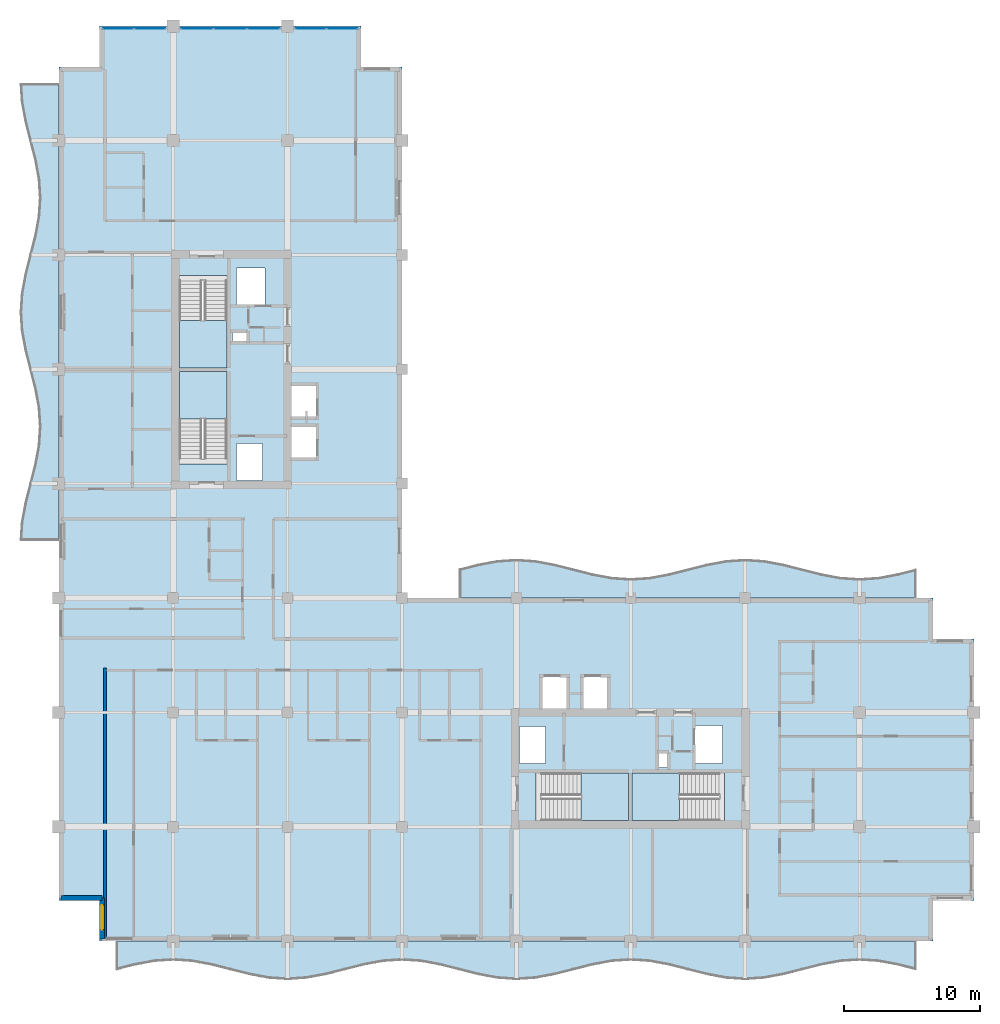
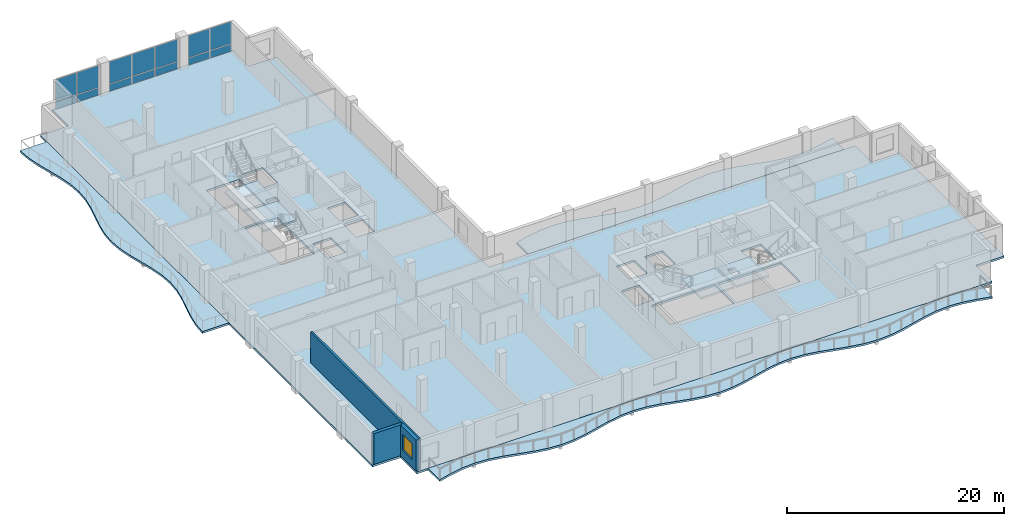
# One storey, part 5 of 16: 14 plates, 8 slabs, 3 walls, 1 window, 1 opening, 7 elements without a shape of their own.
"""IFC4 building model written with IfcOpenShell, lengths in metres."""

from ifc_helpers import new_model, si_unit, direction, frame, frame_2d, origin, origin_2d, place, context, subcontext, project, spatial, polyline, rectangle, outline, extrude, material, layer, layer_set, type_object, element, fill, aggregate, save


model = new_model("IFC4")

# Units and contexts
model_context = context("Model", 3, precision=1e-05, world=origin(), true_north=direction((0.0, 1.0)))
body_context = subcontext(model_context, "Body", "Model", "MODEL_VIEW")
ifc_project = project(units=[si_unit("LENGTHUNIT", "METRE"), si_unit("AREAUNIT", "SQUARE_METRE"), si_unit("VOLUMEUNIT", "CUBIC_METRE"), si_unit("PLANEANGLEUNIT", "RADIAN"), si_unit("MASSUNIT", "GRAM", prefix="KILO")], contexts=[model_context])

# Site, building, storey
site_placement = place(None, origin())
site = spatial("IfcSite", under=ifc_project, at=site_placement, CompositionType="ELEMENT")
building_placement = place(site_placement, origin())
building = spatial("IfcBuilding", under=site, at=building_placement, Name="Koriwani Terraces Tower", CompositionType="ELEMENT")
storey_placement = place(building_placement, frame((0.0, 0.0, 252.699951171875)))
storey = spatial("IfcBuildingStorey", under=building, at=storey_placement, Name="L62", CompositionType="ELEMENT", Elevation=252.699951171875)

# Curtain wall, plates
ifc_material_1 = material(Name="Anodised Bronze Aluminium", Category="aluminium")
ifc_layer_1 = layer(ifc_material_1, 0.169921875, Name="Anodised Bronze Aluminium")
ifc_layer_set_1 = layer_set([ifc_layer_1], Name="Anodised Bronze Aluminium")
curtain_wall_type = type_object("IfcCurtainWallType", Name="CW_RES_ZONE4", PredefinedType="NOTDEFINED", material=ifc_layer_set_1)
curtain_wall_1_placement = place(storey_placement, origin())
curtain_wall_1 = element("IfcCurtainWall", 1, at=curtain_wall_1_placement, inside=storey, type_object=curtain_wall_type, Name="L62 Unitised Curtain Wall (N_TIP) Bay 1", PredefinedType="NOTDEFINED")
ifc_material_2 = material(Name="Tempered Laminated Low-E Glass", Category="glass")
ifc_layer_2 = layer(ifc_material_2, 0.028076171875, Name="Tempered Laminated Low-E Glass")
ifc_layer_set_2 = layer_set([ifc_layer_2], Name="Tempered Laminated Low-E Glass")
plate_type = type_object("IfcPlateType", Name="CW_PANEL_VISION_28", PredefinedType="CURTAIN_PANEL", material=ifc_layer_set_2)
plate_1_placement = place(storey_placement, frame((12.7724609375, 75.425048828125, 0.06494140625), z_axis=(0.0, 0.0, 1.0), x_axis=(1.0, 0.0, 0.0)))
plate_1 = element("IfcPlate", 2, at=plate_1_placement, type_object=plate_type, Name="CW-Z4 panel 1.1", PredefinedType="CURTAIN_PANEL", context=body_context, shape_type="SweptSolid", body=[
    extrude(rectangle(XDim=2.2451171875, YDim=0.028076171875, at=origin_2d()), origin(), (0.0, 0.0, 1.0), 0.802490234375),
])
plate_2_placement = place(storey_placement, frame((12.7724609375, 75.425048828125, 0.9326171875), z_axis=(0.0, 0.0, 1.0), x_axis=(1.0, 0.0, 0.0)))
plate_2 = element("IfcPlate", 3, at=plate_2_placement, type_object=plate_type, Name="CW-Z4 panel 1.2", PredefinedType="CURTAIN_PANEL", context=body_context, shape_type="SweptSolid", body=[
    extrude(rectangle(XDim=2.2451171875, YDim=0.028076171875, at=origin_2d()), origin(), (0.0, 0.0, 1.0), 2.472412109375),
])
plate_3_placement = place(storey_placement, frame((15.092529296875, 75.425048828125, 0.06494140625), z_axis=(0.0, 0.0, 1.0), x_axis=(1.0, 0.0, 0.0)))
plate_3 = element("IfcPlate", 4, at=plate_3_placement, type_object=plate_type, Name="CW-Z4 panel 2.1", PredefinedType="CURTAIN_PANEL", context=body_context, shape_type="SweptSolid", body=[
    extrude(rectangle(XDim=2.2451171875, YDim=0.028076171875, at=origin_2d()), origin(), (0.0, 0.0, 1.0), 0.802490234375),
])
plate_4_placement = place(storey_placement, frame((15.092529296875, 75.425048828125, 0.9326171875), z_axis=(0.0, 0.0, 1.0), x_axis=(1.0, 0.0, 0.0)))
plate_4 = element("IfcPlate", 5, at=plate_4_placement, type_object=plate_type, Name="CW-Z4 panel 2.2", PredefinedType="CURTAIN_PANEL", context=body_context, shape_type="SweptSolid", body=[
    extrude(rectangle(XDim=2.2451171875, YDim=0.028076171875, at=origin_2d()), origin(), (0.0, 0.0, 1.0), 2.472412109375),
])
aggregate(curtain_wall_1, [plate_1, plate_2, plate_3, plate_4])

curtain_wall_2_placement = place(storey_placement, origin())
curtain_wall_2 = element("IfcCurtainWall", 6, at=curtain_wall_2_placement, inside=storey, type_object=curtain_wall_type, Name="L62 Unitised Curtain Wall (N_TIP) Bay 2", PredefinedType="NOTDEFINED")
plate_5_placement = place(storey_placement, frame((18.558837890625, 75.425048828125, 0.06494140625), z_axis=(0.0, 0.0, 1.0), x_axis=(1.0, 0.0, 0.0)))
plate_5 = element("IfcPlate", 7, at=plate_5_placement, type_object=plate_type, Name="CW-Z4 panel 1.1", PredefinedType="CURTAIN_PANEL", context=body_context, shape_type="SweptSolid", body=[
    extrude(rectangle(XDim=2.347412109375, YDim=0.028076171875, at=origin_2d()), origin(), (0.0, 0.0, 1.0), 0.802490234375),
])
plate_6_placement = place(storey_placement, frame((18.558837890625, 75.425048828125, 0.9326171875), z_axis=(0.0, 0.0, 1.0), x_axis=(1.0, 0.0, 0.0)))
plate_6 = element("IfcPlate", 8, at=plate_6_placement, type_object=plate_type, Name="CW-Z4 panel 1.2", PredefinedType="CURTAIN_PANEL", context=body_context, shape_type="SweptSolid", body=[
    extrude(rectangle(XDim=2.347412109375, YDim=0.028076171875, at=origin_2d()), origin(), (0.0, 0.0, 1.0), 2.472412109375),
])
plate_7_placement = place(storey_placement, frame((21.0, 75.425048828125, 0.06494140625), z_axis=(0.0, 0.0, 1.0), x_axis=(1.0, 0.0, 0.0)))
plate_7 = element("IfcPlate", 9, at=plate_7_placement, type_object=plate_type, Name="CW-Z4 panel 2.1", PredefinedType="CURTAIN_PANEL", context=body_context, shape_type="SweptSolid", body=[
    extrude(rectangle(XDim=2.385009765625, YDim=0.028076171875, at=origin_2d()), origin(), (0.0, 0.0, 1.0), 0.802490234375),
])
plate_8_placement = place(storey_placement, frame((21.0, 75.425048828125, 0.9326171875), z_axis=(0.0, 0.0, 1.0), x_axis=(1.0, 0.0, 0.0)))
plate_8 = element("IfcPlate", 10, at=plate_8_placement, type_object=plate_type, Name="CW-Z4 panel 2.2", PredefinedType="CURTAIN_PANEL", context=body_context, shape_type="SweptSolid", body=[
    extrude(rectangle(XDim=2.385009765625, YDim=0.028076171875, at=origin_2d()), origin(), (0.0, 0.0, 1.0), 2.472412109375),
])
plate_9_placement = place(storey_placement, frame((23.441162109375, 75.425048828125, 0.06494140625), z_axis=(0.0, 0.0, 1.0), x_axis=(1.0, 0.0, 0.0)))
plate_9 = element("IfcPlate", 11, at=plate_9_placement, type_object=plate_type, Name="CW-Z4 panel 3.1", PredefinedType="CURTAIN_PANEL", context=body_context, shape_type="SweptSolid", body=[
    extrude(rectangle(XDim=2.347412109375, YDim=0.028076171875, at=origin_2d()), origin(), (0.0, 0.0, 1.0), 0.802490234375),
])
plate_10_placement = place(storey_placement, frame((23.441162109375, 75.425048828125, 0.9326171875), z_axis=(0.0, 0.0, 1.0), x_axis=(1.0, 0.0, 0.0)))
plate_10 = element("IfcPlate", 12, at=plate_10_placement, type_object=plate_type, Name="CW-Z4 panel 3.2", PredefinedType="CURTAIN_PANEL", context=body_context, shape_type="SweptSolid", body=[
    extrude(rectangle(XDim=2.347412109375, YDim=0.028076171875, at=origin_2d()), origin(), (0.0, 0.0, 1.0), 2.472412109375),
])
aggregate(curtain_wall_2, [plate_5, plate_6, plate_7, plate_8, plate_9, plate_10])

curtain_wall_3_placement = place(storey_placement, origin())
curtain_wall_3 = element("IfcCurtainWall", 13, at=curtain_wall_3_placement, inside=storey, type_object=curtain_wall_type, Name="L62 Unitised Curtain Wall (N_TIP) Bay 3", PredefinedType="NOTDEFINED")
plate_11_placement = place(storey_placement, frame((26.907470703125, 75.425048828125, 0.06494140625), z_axis=(0.0, 0.0, 1.0), x_axis=(1.0, 0.0, 0.0)))
plate_11 = element("IfcPlate", 14, at=plate_11_placement, type_object=plate_type, Name="CW-Z4 panel 1.1", PredefinedType="CURTAIN_PANEL", context=body_context, shape_type="SweptSolid", body=[
    extrude(rectangle(XDim=2.2451171875, YDim=0.028076171875, at=origin_2d()), origin(), (0.0, 0.0, 1.0), 0.802490234375),
])
plate_12_placement = place(storey_placement, frame((26.907470703125, 75.425048828125, 0.9326171875), z_axis=(0.0, 0.0, 1.0), x_axis=(1.0, 0.0, 0.0)))
plate_12 = element("IfcPlate", 15, at=plate_12_placement, type_object=plate_type, Name="CW-Z4 panel 1.2", PredefinedType="CURTAIN_PANEL", context=body_context, shape_type="SweptSolid", body=[
    extrude(rectangle(XDim=2.2451171875, YDim=0.028076171875, at=origin_2d()), origin(), (0.0, 0.0, 1.0), 2.472412109375),
])
plate_13_placement = place(storey_placement, frame((29.2275390625, 75.425048828125, 0.06494140625), z_axis=(0.0, 0.0, 1.0), x_axis=(1.0, 0.0, 0.0)))
plate_13 = element("IfcPlate", 16, at=plate_13_placement, type_object=plate_type, Name="CW-Z4 panel 2.1", PredefinedType="CURTAIN_PANEL", context=body_context, shape_type="SweptSolid", body=[
    extrude(rectangle(XDim=2.2451171875, YDim=0.028076171875, at=origin_2d()), origin(), (0.0, 0.0, 1.0), 0.802490234375),
])
plate_14_placement = place(storey_placement, frame((29.2275390625, 75.425048828125, 0.9326171875), z_axis=(0.0, 0.0, 1.0), x_axis=(1.0, 0.0, 0.0)))
plate_14 = element("IfcPlate", 17, at=plate_14_placement, type_object=plate_type, Name="CW-Z4 panel 2.2", PredefinedType="CURTAIN_PANEL", context=body_context, shape_type="SweptSolid", body=[
    extrude(rectangle(XDim=2.2451171875, YDim=0.028076171875, at=origin_2d()), origin(), (0.0, 0.0, 1.0), 2.472412109375),
])
aggregate(curtain_wall_3, [plate_11, plate_12, plate_13, plate_14])

# Slabs
ifc_material_3 = material(Name="Concrete C40/50", Category="concrete")
ifc_layer_3 = layer(ifc_material_3, 0.219970703125, Name="Concrete C40/50")
ifc_layer_set_3 = layer_set([ifc_layer_3], Name="Concrete C40/50")
slab_type_1 = type_object("IfcSlabType", Name="SLAB_BALCONY_220", PredefinedType="FLOOR", material=ifc_layer_set_3)
slab_1_placement = place(storey_placement, frame((0.0, 0.0, -0.219970703125)))
element("IfcSlab", 18, at=slab_1_placement, inside=storey, type_object=slab_type_1, Name="L62 Quilted Circular-Arc Balcony (S)", PredefinedType="FLOOR", context=body_context, shape_type="SweptSolid", body=[
    extrude(outline(polyline([(12.60009765625, 8.39990234375), (14.0, 8.39990234375), (15.39990234375, 8.39990234375), (16.800048828125, 8.39990234375), (18.199951171875, 8.39990234375), (19.60009765625, 8.39990234375), (21.0, 8.39990234375), (22.39990234375, 8.39990234375), (23.800048828125, 8.39990234375), (25.199951171875, 8.39990234375), (26.60009765625, 8.39990234375), (28.0, 8.39990234375), (29.39990234375, 8.39990234375), (30.800048828125, 8.39990234375), (32.199951171875, 8.39990234375), (33.60009765625, 8.39990234375), (35.0, 8.39990234375), (36.39990234375, 8.39990234375), (37.800048828125, 8.39990234375), (39.199951171875, 8.39990234375), (40.60009765625, 8.39990234375), (42.0, 8.39990234375), (43.39990234375, 8.39990234375), (44.800048828125, 8.39990234375), (46.199951171875, 8.39990234375), (47.60009765625, 8.39990234375), (49.0, 8.39990234375), (50.39990234375, 8.39990234375), (51.800048828125, 8.39990234375), (53.199951171875, 8.39990234375), (54.60009765625, 8.39990234375), (56.0, 8.39990234375), (57.39990234375, 8.39990234375), (58.800048828125, 8.39990234375), (60.199951171875, 8.39990234375), (61.60009765625, 8.39990234375), (63.0, 8.39990234375), (64.39990234375, 8.39990234375), (65.800048828125, 8.39990234375), (67.199951171875, 8.39990234375), (68.60009765625, 8.39990234375), (70.0, 8.39990234375), (71.39990234375, 8.39990234375), (71.39990234375, 6.260009765625), (70.0, 6.614990234375), (68.60009765625, 6.875), (67.199951171875, 6.969970703125), (65.800048828125, 6.875), (64.39990234375, 6.614990234375), (63.0, 6.260009765625), (61.60009765625, 5.905029296875), (60.199951171875, 5.64501953125), (58.800048828125, 5.550048828125), (57.39990234375, 5.64501953125), (56.0, 5.905029296875), (54.60009765625, 6.260009765625), (53.199951171875, 6.614990234375), (51.800048828125, 6.875), (50.39990234375, 6.969970703125), (49.0, 6.875), (47.60009765625, 6.614990234375), (46.199951171875, 6.260009765625), (44.800048828125, 5.905029296875), (43.39990234375, 5.64501953125), (42.0, 5.550048828125), (40.60009765625, 5.64501953125), (39.199951171875, 5.905029296875), (37.800048828125, 6.260009765625), (36.39990234375, 6.614990234375), (35.0, 6.875), (33.60009765625, 6.969970703125), (32.199951171875, 6.875), (30.800048828125, 6.614990234375), (29.39990234375, 6.260009765625), (28.0, 5.905029296875), (26.60009765625, 5.64501953125), (25.199951171875, 5.550048828125), (23.800048828125, 5.64501953125), (22.39990234375, 5.905029296875), (21.0, 6.260009765625), (19.60009765625, 6.614990234375), (18.199951171875, 6.875), (16.800048828125, 6.969970703125), (15.39990234375, 6.875), (14.0, 6.614990234375), (12.60009765625, 6.260009765625), (12.60009765625, 8.39990234375)])), origin(), (0.0, 0.0, 1.0), 0.219970703125),
])
slab_2_placement = place(storey_placement, frame((0.0, 0.0, -0.219970703125)))
element("IfcSlab", 19, at=slab_2_placement, inside=storey, type_object=slab_type_1, Name="L62 Quilted Circular-Arc Balcony (W)", PredefinedType="FLOOR", context=body_context, shape_type="SweptSolid", body=[
    extrude(outline(polyline([(8.39990234375, 37.800048828125), (8.39990234375, 39.199951171875), (8.39990234375, 40.60009765625), (8.39990234375, 42.0), (8.39990234375, 43.39990234375), (8.39990234375, 44.800048828125), (8.39990234375, 46.199951171875), (8.39990234375, 47.60009765625), (8.39990234375, 49.0), (8.39990234375, 50.39990234375), (8.39990234375, 51.800048828125), (8.39990234375, 53.199951171875), (8.39990234375, 54.60009765625), (8.39990234375, 56.0), (8.39990234375, 57.39990234375), (8.39990234375, 58.800048828125), (8.39990234375, 60.199951171875), (8.39990234375, 61.60009765625), (8.39990234375, 63.0), (8.39990234375, 64.39990234375), (8.39990234375, 65.800048828125), (8.39990234375, 67.199951171875), (8.39990234375, 68.60009765625), (8.39990234375, 70.0), (8.39990234375, 71.39990234375), (5.550048828125, 71.39990234375), (5.64501953125, 70.0), (5.905029296875, 68.60009765625), (6.260009765625, 67.199951171875), (6.614990234375, 65.800048828125), (6.875, 64.39990234375), (6.969970703125, 63.0), (6.875, 61.60009765625), (6.614990234375, 60.199951171875), (6.260009765625, 58.800048828125), (5.905029296875, 57.39990234375), (5.64501953125, 56.0), (5.550048828125, 54.60009765625), (5.64501953125, 53.199951171875), (5.905029296875, 51.800048828125), (6.260009765625, 50.39990234375), (6.614990234375, 49.0), (6.875, 47.60009765625), (6.969970703125, 46.199951171875), (6.875, 44.800048828125), (6.614990234375, 43.39990234375), (6.260009765625, 42.0), (5.905029296875, 40.60009765625), (5.64501953125, 39.199951171875), (5.550048828125, 37.800048828125), (8.39990234375, 37.800048828125)])), origin(), (0.0, 0.0, 1.0), 0.219970703125),
])
slab_3_placement = place(storey_placement, frame((0.0, 0.0, -0.219970703125)))
element("IfcSlab", 20, at=slab_3_placement, inside=storey, type_object=slab_type_1, Name="L62 Quilted Circular-Arc Balcony (NE)", PredefinedType="FLOOR", context=body_context, shape_type="SweptSolid", body=[
    extrude(outline(polyline([(71.39990234375, 33.60009765625), (70.0, 33.60009765625), (68.60009765625, 33.60009765625), (67.199951171875, 33.60009765625), (65.800048828125, 33.60009765625), (64.39990234375, 33.60009765625), (63.0, 33.60009765625), (61.60009765625, 33.60009765625), (60.199951171875, 33.60009765625), (58.800048828125, 33.60009765625), (57.39990234375, 33.60009765625), (56.0, 33.60009765625), (54.60009765625, 33.60009765625), (53.199951171875, 33.60009765625), (51.800048828125, 33.60009765625), (50.39990234375, 33.60009765625), (49.0, 33.60009765625), (47.60009765625, 33.60009765625), (46.199951171875, 33.60009765625), (44.800048828125, 33.60009765625), (43.39990234375, 33.60009765625), (42.0, 33.60009765625), (40.60009765625, 33.60009765625), (39.199951171875, 33.60009765625), (37.800048828125, 33.60009765625), (37.800048828125, 35.739990234375), (39.199951171875, 36.094970703125), (40.60009765625, 36.35498046875), (42.0, 36.449951171875), (43.39990234375, 36.35498046875), (44.800048828125, 36.094970703125), (46.199951171875, 35.739990234375), (47.60009765625, 35.385009765625), (49.0, 35.125), (50.39990234375, 35.030029296875), (51.800048828125, 35.125), (53.199951171875, 35.385009765625), (54.60009765625, 35.739990234375), (56.0, 36.094970703125), (57.39990234375, 36.35498046875), (58.800048828125, 36.449951171875), (60.199951171875, 36.35498046875), (61.60009765625, 36.094970703125), (63.0, 35.739990234375), (64.39990234375, 35.385009765625), (65.800048828125, 35.125), (67.199951171875, 35.030029296875), (68.60009765625, 35.125), (70.0, 35.385009765625), (71.39990234375, 35.739990234375), (71.39990234375, 33.60009765625)])), origin(), (0.0, 0.0, 1.0), 0.219970703125),
])
ifc_layer_4 = layer(ifc_material_3, 0.22998046875, Name="Concrete C40/50")
ifc_layer_set_4 = layer_set([ifc_layer_4], Name="Concrete C40/50")
slab_type_2 = type_object("IfcSlabType", Name="SLAB_RES_TYP_230", PredefinedType="FLOOR", material=ifc_layer_set_4)
slab_4_placement = place(storey_placement, frame((0.0, 0.0, -0.22998046875)))
element("IfcSlab", 21, at=slab_4_placement, inside=storey, type_object=slab_type_2, Name="L62 Structural Floor Slab", PredefinedType="FLOOR", context=body_context, shape_type="SweptSolid", body=[
    extrude(outline(polyline([(11.39990234375, 8.39990234375), (72.60009765625, 8.39990234375), (72.60009765625, 11.39990234375), (75.60009765625, 11.39990234375), (75.60009765625, 30.60009765625), (72.60009765625, 30.60009765625), (72.60009765625, 33.60009765625), (33.60009765625, 33.60009765625), (33.60009765625, 72.60009765625), (30.60009765625, 72.60009765625), (30.60009765625, 75.60009765625), (11.39990234375, 75.60009765625), (11.39990234375, 72.60009765625), (8.39990234375, 72.60009765625), (8.39990234375, 11.39990234375), (11.39990234375, 11.39990234375), (11.39990234375, 8.39990234375)]), holes=[polyline([(17.25, 43.4599609375), (20.75, 43.4599609375), (20.75, 50.25), (17.25, 50.25), (17.25, 43.4599609375)]), polyline([(17.25, 50.5), (20.75, 50.5), (20.75, 57.2900390625), (17.25, 57.2900390625), (17.25, 50.5)]), polyline([(43.4599609375, 17.25), (50.25, 17.25), (50.25, 20.75), (43.4599609375, 20.75), (43.4599609375, 17.25)]), polyline([(50.5, 17.25), (57.2900390625, 17.25), (57.2900390625, 20.75), (50.5, 20.75), (50.5, 17.25)]), polyline([(25.449951171875, 43.85009765625), (27.35009765625, 43.85009765625), (27.35009765625, 46.25), (25.449951171875, 46.25), (25.449951171875, 43.85009765625)]), polyline([(25.449951171875, 46.85009765625), (27.35009765625, 46.85009765625), (27.35009765625, 49.25), (25.449951171875, 49.25), (25.449951171875, 46.85009765625)]), polyline([(43.85009765625, 25.449951171875), (45.75, 25.449951171875), (45.75, 27.85009765625), (43.85009765625, 27.85009765625), (43.85009765625, 25.449951171875)]), polyline([(46.85009765625, 25.449951171875), (48.75, 25.449951171875), (48.75, 27.85009765625), (46.85009765625, 27.85009765625), (46.85009765625, 25.449951171875)]), polyline([(21.449951171875, 55.050048828125), (23.550048828125, 55.050048828125), (23.550048828125, 57.85009765625), (21.449951171875, 57.85009765625), (21.449951171875, 55.050048828125)]), polyline([(55.050048828125, 21.449951171875), (57.14990234375, 21.449951171875), (57.14990234375, 24.25), (55.050048828125, 24.25), (55.050048828125, 21.449951171875)]), polyline([(21.449951171875, 42.25), (23.35009765625, 42.25), (23.35009765625, 44.949951171875), (21.449951171875, 44.949951171875), (21.449951171875, 42.25)]), polyline([(42.25, 21.449951171875), (44.14990234375, 21.449951171875), (44.14990234375, 24.14990234375), (42.25, 24.14990234375), (42.25, 21.449951171875)]), polyline([(21.14990234375, 52.419921875), (22.219970703125, 52.419921875), (22.219970703125, 53.179931640625), (21.14990234375, 53.179931640625), (21.14990234375, 52.419921875)]), polyline([(52.419921875, 21.14990234375), (53.179931640625, 21.14990234375), (53.179931640625, 22.219970703125), (52.419921875, 22.219970703125), (52.419921875, 21.14990234375)])]), origin(), (0.0, 0.0, 1.0), 0.22998046875),
])

# Stair, slab
stair_type = type_object("IfcStairType", Name="STAIR_CORE_DOGLEG_1650", PredefinedType="TWO_STRAIGHT_RUN_STAIR", material=ifc_material_3)
stair_1_placement = place(storey_placement, origin())
stair_1 = element("IfcStair", 22, at=stair_1_placement, inside=storey, type_object=stair_type, Name="L62 West Core Exit Stair 1", PredefinedType="HALF_TURN_STAIR")
ifc_layer_5 = layer(ifc_material_3, 0.199951171875, Name="Concrete C40/50")
ifc_layer_set_5 = layer_set([ifc_layer_5], Name="Concrete C40/50")
slab_type_3 = type_object("IfcSlabType", Name="SLAB_STAIR_LANDING_200", PredefinedType="LANDING", material=ifc_layer_set_5)
slab_5_placement = place(storey_placement, frame((0.0, 0.0, 1.650146484375)))
slab_5 = element("IfcSlab", 23, at=slab_5_placement, type_object=slab_type_3, Name="ST-W1 landing 1", PredefinedType="LANDING", context=body_context, shape_type="SweptSolid", body=[
    extrude(outline(polyline([(20.75, 46.75), (20.75, 50.25), (17.25, 50.25), (17.25, 46.75), (20.75, 46.75)])), origin(), (0.0, 0.0, 1.0), 0.199951171875),
])
aggregate(stair_1, [slab_5])

stair_2_placement = place(storey_placement, origin())
stair_2 = element("IfcStair", 24, at=stair_2_placement, inside=storey, type_object=stair_type, Name="L62 West Core Exit Stair 2", PredefinedType="HALF_TURN_STAIR")
slab_6_placement = place(storey_placement, frame((0.0, 0.0, 1.650146484375)))
slab_6 = element("IfcSlab", 25, at=slab_6_placement, type_object=slab_type_3, Name="ST-W2 landing 1", PredefinedType="LANDING", context=body_context, shape_type="SweptSolid", body=[
    extrude(outline(polyline([(17.25, 54.0), (17.25, 50.5), (20.75, 50.5), (20.75, 54.0), (17.25, 54.0)])), origin(), (0.0, 0.0, 1.0), 0.199951171875),
])
aggregate(stair_2, [slab_6])

stair_3_placement = place(storey_placement, origin())
stair_3 = element("IfcStair", 26, at=stair_3_placement, inside=storey, type_object=stair_type, Name="L62 East Core Exit Stair 1", PredefinedType="HALF_TURN_STAIR")
slab_7_placement = place(storey_placement, frame((0.0, 0.0, 1.650146484375)))
slab_7 = element("IfcSlab", 27, at=slab_7_placement, type_object=slab_type_3, Name="ST-E1 landing 1", PredefinedType="LANDING", context=body_context, shape_type="SweptSolid", body=[
    extrude(outline(polyline([(46.75, 17.25), (50.25, 17.25), (50.25, 20.75), (46.75, 20.75), (46.75, 17.25)])), origin(), (0.0, 0.0, 1.0), 0.199951171875),
])
aggregate(stair_3, [slab_7])

stair_4_placement = place(storey_placement, origin())
stair_4 = element("IfcStair", 28, at=stair_4_placement, inside=storey, type_object=stair_type, Name="L62 East Core Exit Stair 2", PredefinedType="HALF_TURN_STAIR")
slab_8_placement = place(storey_placement, frame((0.0, 0.0, 1.650146484375)))
slab_8 = element("IfcSlab", 29, at=slab_8_placement, type_object=slab_type_3, Name="ST-E2 landing 1", PredefinedType="LANDING", context=body_context, shape_type="SweptSolid", body=[
    extrude(outline(polyline([(54.0, 20.75), (50.5, 20.75), (50.5, 17.25), (54.0, 17.25), (54.0, 20.75)])), origin(), (0.0, 0.0, 1.0), 0.199951171875),
])
aggregate(stair_4, [slab_8])

# Wall
ifc_material_4 = material(Name="Autoclaved Cellular Concrete Blockwork", Category="masonry")
ifc_layer_6 = layer(ifc_material_4, 0.219970703125, Name="Autoclaved Cellular Concrete Blockwork")
ifc_layer_set_6 = layer_set([ifc_layer_6], Name="Autoclaved Cellular Concrete Blockwork")
wall_type_1 = type_object("IfcWallType", Name="WALL_DEMISING_220", PredefinedType="PARTITIONING", material=ifc_layer_set_6)
wall_1_placement = place(storey_placement, frame((11.800048828125, 8.60009765625, 0.0), z_axis=(0.0, 0.0, 1.0), x_axis=(0.0, 1.0, 0.0)))
element("IfcWall", 30, at=wall_1_placement, inside=storey, type_object=wall_type_1, Name="L62 Interior Wall WRDEM-L62-SW-0", PredefinedType="PARTITIONING", context=body_context, shape_type="SweptSolid", body=[
    extrude(rectangle(XDim=19.8798828125, YDim=0.219970703125, at=frame_2d((9.93994140625, 0.0))), origin(), (0.0, 0.0, 1.0), 3.469970703125),
])

# Wall, opening, window
ifc_material_5 = material(Name="Concrete C50/60", Category="concrete")
ifc_layer_7 = layer(ifc_material_5, 0.35009765625, Name="Concrete C50/60")
ifc_layer_set_7 = layer_set([ifc_layer_7], Name="Concrete C50/60")
wall_type_2 = type_object("IfcWallType", Name="WALL_EXT_BRUTALIST_350", PredefinedType="STANDARD", material=ifc_layer_set_7)
wall_2_placement = place(storey_placement, frame((11.574951171875, 8.574951171875, 0.0), z_axis=(0.0, 0.0, 1.0), x_axis=(0.0, 1.0, 0.0)))
wall_2 = element("IfcWall", 31, at=wall_2_placement, inside=storey, type_object=wall_type_2, Name="L62 Fair-Faced Brutalist Exterior Wall (N0)", PredefinedType="STANDARD", context=body_context, shape_type="SweptSolid", body=[
    extrude(rectangle(XDim=3.0, YDim=0.35009765625, at=frame_2d((1.5, 0.0))), origin(), (0.0, 0.0, 1.0), 3.469970703125),
])
opening_placement = place(wall_2_placement, frame((0.677490234375, 0.0, 0.85009765625)))
opening = element("IfcOpeningElement", 32, at=opening_placement, cuts=wall_2, Name="Opening W-04", PredefinedType="OPENING", context=body_context, shape_type="SweptSolid", body=[
    extrude(rectangle(XDim=1.800048828125, YDim=1.800048828125, at=frame_2d((0.89990234375, 0.89990234375))), frame((0.0, 0.18505859375, 0.0), z_axis=(0.0, -1.0, 0.0), x_axis=(1.0, 0.0, 0.0)), (0.0, 0.0, 1.0), 0.3701171875),
])
window_type = type_object("IfcWindowType", Name="WIN_RES_BED_1800X1800", PartitioningType="DOUBLE_PANEL_VERTICAL", PredefinedType="WINDOW", material=ifc_material_2)
window_placement = place(opening_placement, origin())
window = element("IfcWindow", 33, at=window_placement, inside=storey, type_object=window_type, Name="L62 Exterior Window (N0-R33)", OverallHeight=1.800048828125, OverallWidth=1.800048828125, PartitioningType="SINGLE_PANEL", PredefinedType="WINDOW", context=body_context, shape_type="SweptSolid", body=[
    extrude(rectangle(XDim=1.800048828125, YDim=1.800048828125, at=frame_2d((0.89990234375, 0.89990234375))), frame((0.0, 0.030029296875, 0.0), z_axis=(0.0, -1.0, 0.0), x_axis=(1.0, 0.0, 0.0)), (0.0, 0.0, 1.0), 0.06005859375),
])
fill(opening, window)

# Wall
wall_3_placement = place(storey_placement, frame((11.574951171875, 11.574951171875, 0.0), z_axis=(0.0, 0.0, 1.0), x_axis=(-1.0, 0.0, 0.0)))
element("IfcWall", 34, at=wall_3_placement, inside=storey, type_object=wall_type_2, Name="L62 Fair-Faced Brutalist Exterior Wall (N1)", PredefinedType="STANDARD", context=body_context, shape_type="SweptSolid", body=[
    extrude(rectangle(XDim=3.0, YDim=0.35009765625, at=frame_2d((1.5, 0.0))), origin(), (0.0, 0.0, 1.0), 3.469970703125),
])

save(model, "model.ifc")
